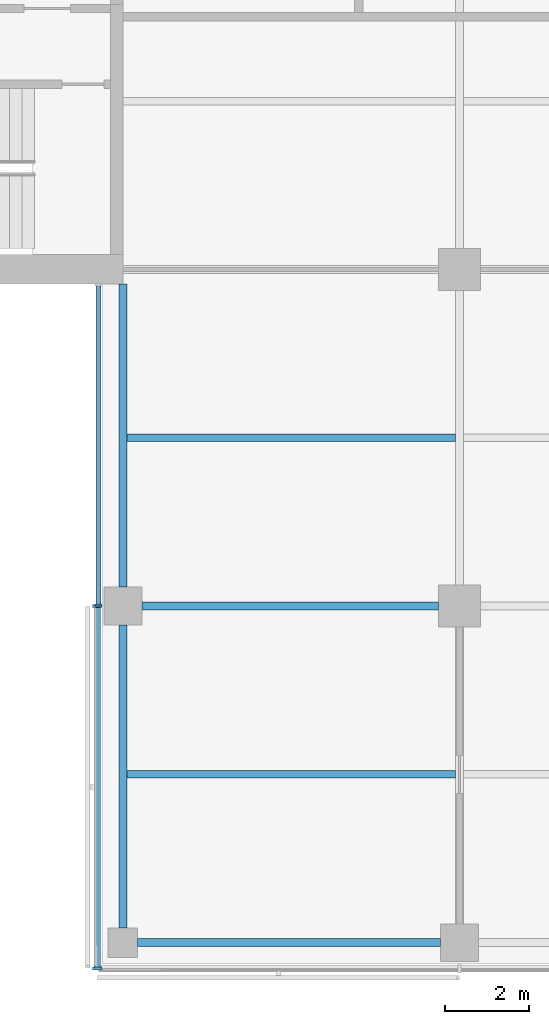
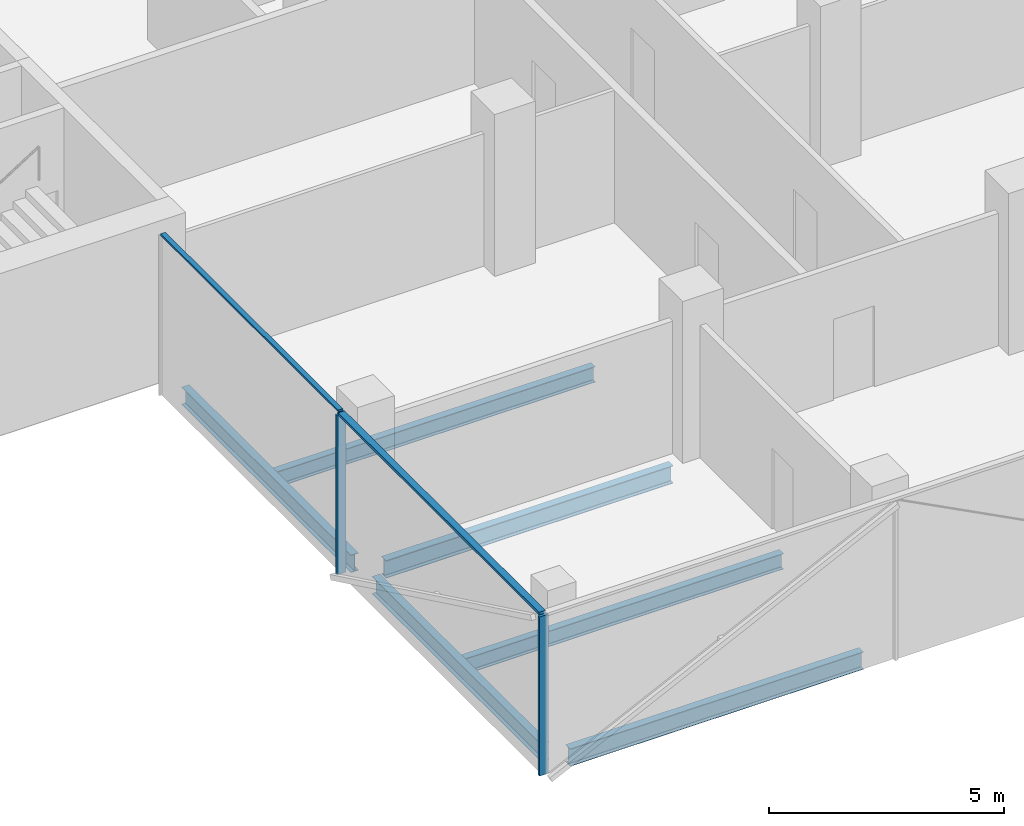
# One storey, part 2 of 22: 6 beams, 5 members, 2 elements without a shape of their own.
"""IFC4 building model written with IfcOpenShell, lengths in metres."""

from ifc_helpers import new_model, si_unit, direction, frame, origin, origin_2d, place, context, subcontext, project, spatial, rectangle, i_section, extrude, material, material_profile, profile_set, type_object, element, aggregate, save


model = new_model("IFC4")

# Units and contexts
model_context = context("Model", 3, precision=1e-05, world=origin(), true_north=direction((0.0, 1.0)))
body_context = subcontext(model_context, "Body", "Model", "MODEL_VIEW")
ifc_project = project(units=[si_unit("LENGTHUNIT", "METRE"), si_unit("AREAUNIT", "SQUARE_METRE"), si_unit("VOLUMEUNIT", "CUBIC_METRE"), si_unit("PLANEANGLEUNIT", "RADIAN"), si_unit("MASSUNIT", "GRAM", prefix="KILO")], contexts=[model_context])

# Site, building, storey
site_placement = place(None, origin())
site = spatial("IfcSite", under=ifc_project, at=site_placement, CompositionType="ELEMENT")
building_placement = place(site_placement, origin())
building = spatial("IfcBuilding", under=site, at=building_placement, Name="Crosswind Convention Tower", CompositionType="ELEMENT")
storey_placement = place(building_placement, frame((0.0, 0.0, 129.5)))
storey = spatial("IfcBuildingStorey", under=building, at=storey_placement, Name="L26", CompositionType="ELEMENT", Elevation=129.5)

# Beams
ifc_material_1 = material(Name="Steel S355", Category="steel")
ifc_material_profile_1 = material_profile(ifc_material_1, i_section(OverallWidth=0.18994140625, OverallDepth=0.45361328125, WebThickness=0.008544921875, FlangeThickness=0.0126953125, FilletRadius=0.01025390625, at=origin_2d()), Name="UB 457x191x67")
ifc_profile_set_1 = profile_set([ifc_material_profile_1], Name="Steel S355")
beam_type_1 = type_object("IfcBeamType", Name="Edge beam UB 457x191x67", PredefinedType="SPANDREL", material=ifc_profile_set_1)
for number, where, z_axis, x_axis, name in (
    (1, (113.0, 72.35009765625, -0.52685546875), (0.0, 1.0, 0.0), (-1.0, 0.0, 0.0), "B16 L26 edge beam 6"),
    (2, (113.0, 80.449951171875, -0.52685546875), (0.0, 1.0, 0.0), (-1.0, 0.0, 0.0), "B16 L26 edge beam 7"),
    (3, (113.35009765625, 72.0, -0.52685546875), (1.0, 0.0, 0.0), (0.0, 1.0, 0.0), "B16 L26 edge beam 10"),
):
    element("IfcBeam", number, at=place(storey_placement, frame(where, z_axis=z_axis, x_axis=x_axis)), inside=storey, type_object=beam_type_1, Name=name, PredefinedType="SPANDREL", context=body_context, shape_type="SweptSolid", body=[
        extrude(i_section(OverallWidth=0.18994140625, OverallDepth=0.45361328125, WebThickness=0.008544921875, FlangeThickness=0.0126953125, FilletRadius=0.01025390625, at=origin_2d()), origin(), (0.0, 0.0, 1.0), 7.199951171875),
    ])
ifc_material_profile_2 = material_profile(ifc_material_1, i_section(OverallWidth=0.19140625, OverallDepth=0.460205078125, WebThickness=0.010009765625, FlangeThickness=0.01611328125, FilletRadius=0.01025390625, at=origin_2d()), Name="UB 457x191x82")
ifc_profile_set_2 = profile_set([ifc_material_profile_2], Name="Steel S355")
beam_type_2 = type_object("IfcBeamType", Name="Girder UB 457x191x82", PredefinedType="BEAM", material=ifc_profile_set_2)
beam_placement = place(storey_placement, frame((113.449951171875, 80.0, -0.530029296875), z_axis=(1.0, 0.0, 0.0), x_axis=(0.0, 1.0, 0.0)))
element("IfcBeam", 4, at=beam_placement, inside=storey, type_object=beam_type_2, Name="B3 L26 girder 1", PredefinedType="BEAM", context=body_context, shape_type="SweptSolid", body=[
    extrude(i_section(OverallWidth=0.19140625, OverallDepth=0.460205078125, WebThickness=0.010009765625, FlangeThickness=0.01611328125, FilletRadius=0.01025390625, at=origin_2d()), origin(), (0.0, 0.0, 1.0), 7.050048828125),
])

# Curtain wall, member
ifc_material_2 = material(Name="Aluminium unitised curtain wall", Category="aluminium")
curtain_wall_type_1 = type_object("IfcCurtainWallType", Name="CORE END SLOT WALL 160", PredefinedType="USERDEFINED", material=ifc_material_2)
curtain_wall_1_placement = place(storey_placement, origin())
curtain_wall_1 = element("IfcCurtainWall", 5, at=curtain_wall_1_placement, inside=storey, type_object=curtain_wall_type_1, Name="CW6 L26 S-W.1-1 slot", ObjectType="UNITISED", PredefinedType="USERDEFINED")
ifc_material_3 = material(Name="Aluminium mullion", Category="aluminium")
ifc_material_profile_3 = material_profile(ifc_material_3, rectangle(XDim=0.159912109375, YDim=0.050048828125, at=origin_2d()), Name="AL 160X50")
ifc_profile_set_3 = profile_set([ifc_material_profile_3], Name="Aluminium mullion")
member_type_1 = type_object("IfcMemberType", Name="MULLION 50X160", PredefinedType="MULLION", material=ifc_profile_set_3)
member_1_placement = place(storey_placement, frame((112.419921875, 80.02490234375, -0.300048828125), z_axis=(0.0, 0.0, 1.0), x_axis=(-1.0, 0.0, 0.0)))
member_1 = element("IfcMember", 6, at=member_1_placement, type_object=member_type_1, Name="CW6 mullion 2", PredefinedType="MULLION", context=body_context, shape_type="SweptSolid", body=[
    extrude(rectangle(XDim=0.159912109375, YDim=0.050048828125, at=origin_2d()), origin(), (0.0, 0.0, 1.0), 4.150146484375),
])

# Curtain wall, members
curtain_wall_type_2 = type_object("IfcCurtainWallType", Name="OFFICE UNITISED WALL 220", PredefinedType="USERDEFINED", material=ifc_material_2)
curtain_wall_2_placement = place(storey_placement, origin())
curtain_wall_2 = element("IfcCurtainWall", 7, at=curtain_wall_2_placement, inside=storey, type_object=curtain_wall_type_2, Name="CW3 L26 S-W 1", ObjectType="UNITISED", PredefinedType="USERDEFINED")
ifc_material_profile_4 = material_profile(ifc_material_3, rectangle(XDim=0.219970703125, YDim=0.070068359375, at=origin_2d()), Name="AL 220X70")
ifc_profile_set_4 = profile_set([ifc_material_profile_4], Name="Aluminium mullion")
member_type_2 = type_object("IfcMemberType", Name="MULLION 70X220", PredefinedType="MULLION", material=ifc_profile_set_4)
member_2_placement = place(storey_placement, frame((112.389892578125, 80.0, -0.300048828125), z_axis=(0.0, 0.0, 1.0), x_axis=(-1.0, 0.0, 0.0)))
member_2 = element("IfcMember", 8, at=member_2_placement, type_object=member_type_2, Name="CW3 mullion 1", PredefinedType="MULLION", context=body_context, shape_type="SweptSolid", body=[
    extrude(rectangle(XDim=0.219970703125, YDim=0.070068359375, at=origin_2d()), origin(), (0.0, 0.0, 1.0), 4.130126953125),
])
member_3_placement = place(storey_placement, frame((112.389892578125, 71.389892578125, -0.300048828125), z_axis=(0.0, 0.0, 1.0), x_axis=(-1.0, 0.0, 0.0)))
member_3 = element("IfcMember", 9, at=member_3_placement, type_object=member_type_2, Name="CW3 mullion 2", PredefinedType="MULLION", context=body_context, shape_type="SweptSolid", body=[
    extrude(rectangle(XDim=0.219970703125, YDim=0.070068359375, at=origin_2d()), origin(), (0.0, 0.0, 1.0), 4.130126953125),
])

# Beams
ifc_material_profile_5 = material_profile(ifc_material_1, i_section(OverallWidth=0.177734375, OverallDepth=0.406494140625, WebThickness=0.0078125, FlangeThickness=0.0126953125, FilletRadius=0.01025390625, at=origin_2d()), Name="UB 406x178x60")
ifc_profile_set_5 = profile_set([ifc_material_profile_5], Name="Steel S355")
beam_type_3 = type_object("IfcBeamType", Name="Secondary beam UB 406x178x60", PredefinedType="JOIST", material=ifc_profile_set_5)
for number, where, z_axis, x_axis, name in (
    (10, (113.094970703125, 76.0, -0.503173828125), (1.0, 0.0, 0.0), (0.0, 1.0, 0.0), "B10 L26 secondary beam 7"),
    (11, (113.094970703125, 84.0, -0.503173828125), (1.0, 0.0, 0.0), (0.0, 1.0, 0.0), "B10 L26 secondary beam 8"),
):
    element("IfcBeam", number, at=place(storey_placement, frame(where, z_axis=z_axis, x_axis=x_axis)), inside=storey, type_object=beam_type_3, Name=name, PredefinedType="JOIST", context=body_context, shape_type="SweptSolid", body=[
        extrude(i_section(OverallWidth=0.177734375, OverallDepth=0.406494140625, WebThickness=0.0078125, FlangeThickness=0.0126953125, FilletRadius=0.01025390625, at=origin_2d()), origin(), (0.0, 0.0, 1.0), 7.809326171875),
    ])

# Member
ifc_material_4 = material(Name="Aluminium transom", Category="aluminium")
ifc_material_profile_6 = material_profile(ifc_material_4, rectangle(XDim=0.1201171875, YDim=0.050048828125, at=origin_2d()), Name="AL 120X50")
ifc_profile_set_6 = profile_set([ifc_material_profile_6], Name="Aluminium transom")
member_type_3 = type_object("IfcMemberType", Name="TRANSOM 50X120", PredefinedType="USERDEFINED", material=ifc_profile_set_6)
member_4_placement = place(storey_placement, frame((112.419921875, 87.60009765625, 3.875), z_axis=(0.0, -1.0, 0.0), x_axis=(1.0, 0.0, 0.0)))
member_4 = element("IfcMember", 12, at=member_4_placement, type_object=member_type_3, Name="CW6 transom", ObjectType="TRANSOM", PredefinedType="USERDEFINED", context=body_context, shape_type="SweptSolid", body=[
    extrude(rectangle(XDim=0.1201171875, YDim=0.050048828125, at=origin_2d()), origin(), (0.0, 0.0, 1.0), 7.550048828125),
])

aggregate(curtain_wall_1, [member_1, member_4])

ifc_material_profile_7 = material_profile(ifc_material_4, rectangle(XDim=0.159912109375, YDim=0.070068359375, at=origin_2d()), Name="AL 160X70")
ifc_profile_set_7 = profile_set([ifc_material_profile_7], Name="Aluminium transom")
member_type_4 = type_object("IfcMemberType", Name="TRANSOM 70X160", PredefinedType="USERDEFINED", material=ifc_profile_set_7)
member_5_placement = place(storey_placement, frame((112.389892578125, 79.965087890625, 3.864990234375), z_axis=(0.0, -1.0, 0.0), x_axis=(1.0, 0.0, 0.0)))
member_5 = element("IfcMember", 13, at=member_5_placement, type_object=member_type_4, Name="CW3 transom", ObjectType="TRANSOM", PredefinedType="USERDEFINED", context=body_context, shape_type="SweptSolid", body=[
    extrude(rectangle(XDim=0.159912109375, YDim=0.070068359375, at=origin_2d()), origin(), (0.0, 0.0, 1.0), 8.5400390625),
])

aggregate(curtain_wall_2, [member_2, member_3, member_5])

save(model, "model.ifc")
